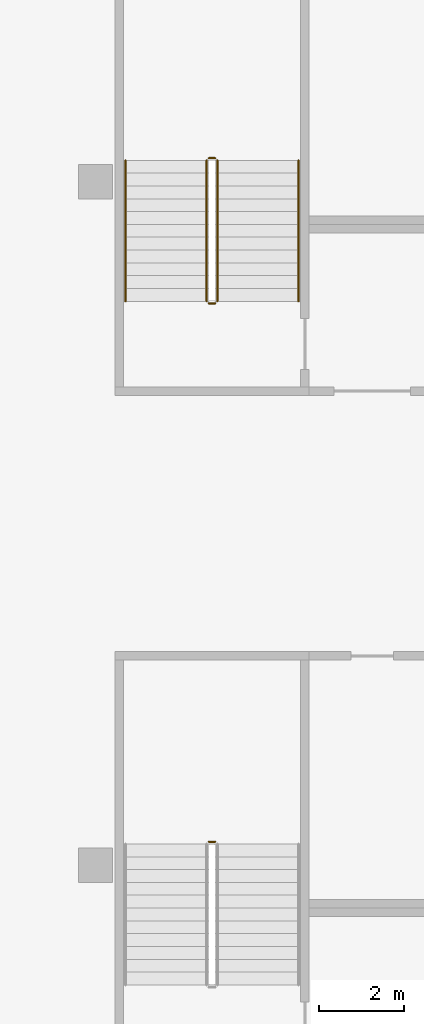
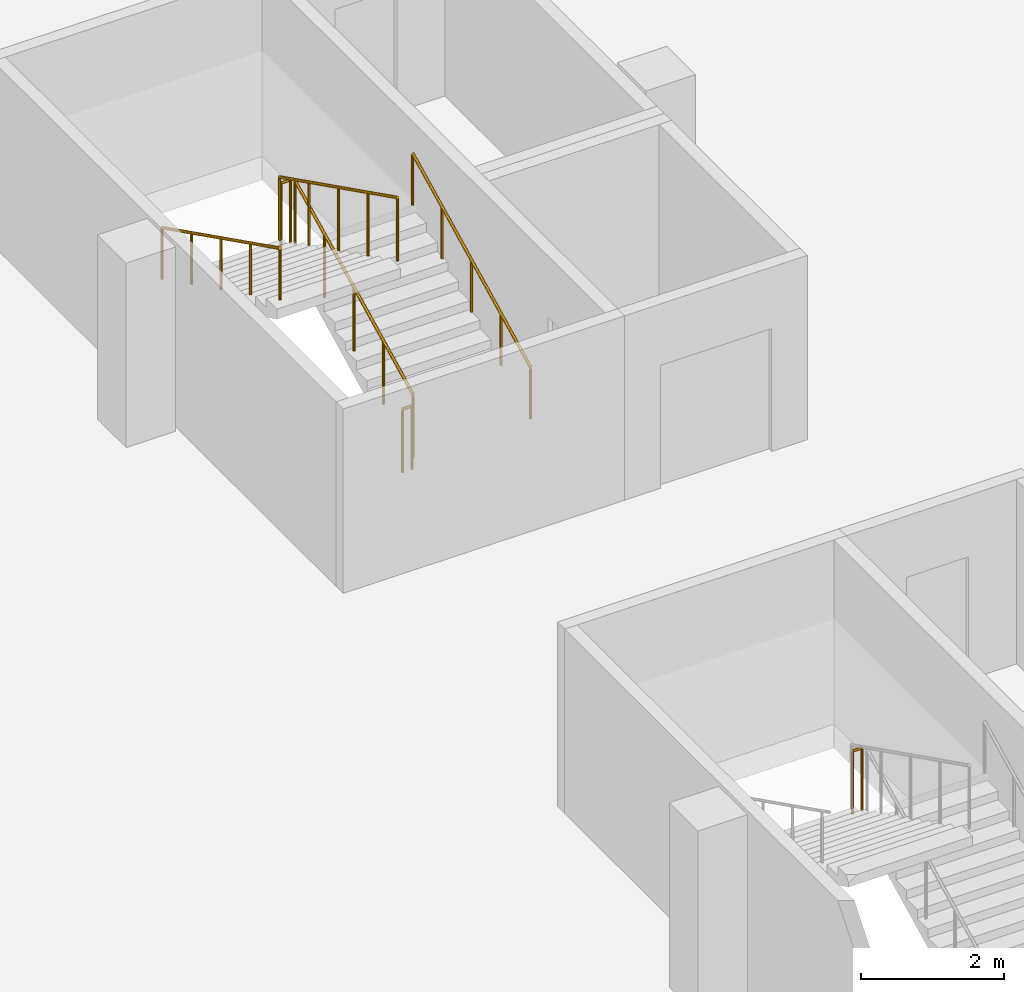
# One storey, part 25 of 37: 7 railings.
"""IFC4 building model written with IfcOpenShell, lengths in metres."""

from ifc_helpers import new_model, si_unit, direction, frame, origin, origin_2d, place, context, subcontext, project, spatial, circle, extrude, material, type_object, element, save


model = new_model("IFC4")

# Units and contexts
model_context = context("Model", 3, precision=1e-05, world=origin(), true_north=direction((0.0, 1.0)))
body_context = subcontext(model_context, "Body", "Model", "MODEL_VIEW")
ifc_project = project(units=[si_unit("LENGTHUNIT", "METRE"), si_unit("AREAUNIT", "SQUARE_METRE"), si_unit("VOLUMEUNIT", "CUBIC_METRE"), si_unit("PLANEANGLEUNIT", "RADIAN"), si_unit("MASSUNIT", "GRAM", prefix="KILO")], contexts=[model_context])

# Site, building, storey
site_placement = place(None, origin())
site = spatial("IfcSite", under=ifc_project, at=site_placement, CompositionType="ELEMENT")
building_placement = place(site_placement, origin())
building = spatial("IfcBuilding", under=site, at=building_placement, Name="Tamra Quay Hotel Tower", CompositionType="ELEMENT")
storey_placement = place(building_placement, frame((0.0, 0.0, -3.60009765625)))
storey = spatial("IfcBuildingStorey", under=building, at=storey_placement, Name="B1", CompositionType="ELEMENT", Elevation=-3.60009765625)

# Railings
ifc_material_1 = material(Name="Basement stair guard 1100")
railing_type_1 = type_object("IfcRailingType", Name="Basement stair guard 1100", PredefinedType="GUARDRAIL", material=ifc_material_1)
railing_1_placement = place(storey_placement, frame((-94.699951171875, -15.449951171875, 1.800048828125)))
element("IfcRailing", 1, at=railing_1_placement, inside=storey, type_object=railing_type_1, Name="BSG", PredefinedType="GUARDRAIL", context=body_context, shape_type="SweptSolid", body=[
    extrude(circle(Radius=0.02392578125, at=origin_2d()), frame((0.0, 0.0, 1.076171875), z_axis=(-1.0, 0.0, 0.0), x_axis=(0.0, -1.0, 0.0)), (0.0, 0.0, 1.0), 0.150146484375),
    extrude(circle(Radius=0.02099609375, at=origin_2d()), origin(), (0.0, 0.0, 1.0), 1.052001953125),
    extrude(circle(Radius=0.02099609375, at=origin_2d()), frame((-0.150146484375, 0.0, 0.0)), (0.0, 0.0, 1.0), 1.052001953125),
])
railing_2_placement = place(storey_placement, frame((-94.64990234375, -2.800048828125, 0.150146484375)))
element("IfcRailing", 2, at=railing_2_placement, inside=storey, type_object=railing_type_1, Name="BSG", PredefinedType="GUARDRAIL", context=body_context, shape_type="SweptSolid", body=[
    extrude(circle(Radius=0.02392578125, at=origin_2d()), frame((0.0, 0.0, 1.076171875), z_axis=(0.0, 0.894440424912, 0.447187126696), x_axis=(-1.0, 0.0, 0.0)), (0.0, 0.0, 1.0), 3.689453125),
    extrude(circle(Radius=0.02099609375, at=origin_2d()), origin(), (0.0, 0.0, 1.0), 1.052001953125),
    extrude(circle(Radius=0.02099609375, at=origin_2d()), frame((0.0, 0.824951171875, 0.41259765625)), (0.0, 0.0, 1.0), 1.052001953125),
    extrude(circle(Radius=0.02099609375, at=origin_2d()), frame((0.0, 1.64990234375, 0.824951171875)), (0.0, 0.0, 1.0), 1.052001953125),
    extrude(circle(Radius=0.02099609375, at=origin_2d()), frame((0.0, 2.47509765625, 1.2373046875)), (0.0, 0.0, 1.0), 1.052001953125),
    extrude(circle(Radius=0.02099609375, at=origin_2d()), frame((0.0, 3.300048828125, 1.64990234375)), (0.0, 0.0, 1.0), 1.052001953125),
])
railing_3_placement = place(storey_placement, frame((-94.699951171875, 0.550048828125, 1.800048828125)))
element("IfcRailing", 3, at=railing_3_placement, inside=storey, type_object=railing_type_1, Name="BSG", PredefinedType="GUARDRAIL", context=body_context, shape_type="SweptSolid", body=[
    extrude(circle(Radius=0.02392578125, at=origin_2d()), frame((0.0, 0.0, 1.076171875), z_axis=(-1.0, 0.0, 0.0), x_axis=(0.0, -1.0, 0.0)), (0.0, 0.0, 1.0), 0.150146484375),
    extrude(circle(Radius=0.02099609375, at=origin_2d()), origin(), (0.0, 0.0, 1.0), 1.052001953125),
    extrude(circle(Radius=0.02099609375, at=origin_2d()), frame((-0.150146484375, 0.0, 0.0)), (0.0, 0.0, 1.0), 1.052001953125),
])
railing_4_placement = place(storey_placement, frame((-94.89990234375, 0.5, 1.9501953125)))
element("IfcRailing", 4, at=railing_4_placement, inside=storey, type_object=railing_type_1, Name="BSG", PredefinedType="GUARDRAIL", context=body_context, shape_type="SweptSolid", body=[
    extrude(circle(Radius=0.02392578125, at=origin_2d()), frame((0.0, 0.0, 1.076171875), z_axis=(0.0, -0.894440424912, 0.447187126696), x_axis=(1.0, 0.0, 0.0)), (0.0, 0.0, 1.0), 3.689453125),
    extrude(circle(Radius=0.02099609375, at=origin_2d()), origin(), (0.0, 0.0, 1.0), 1.052001953125),
    extrude(circle(Radius=0.02099609375, at=origin_2d()), frame((0.0, -0.824951171875, 0.41259765625)), (0.0, 0.0, 1.0), 1.052001953125),
    extrude(circle(Radius=0.02099609375, at=origin_2d()), frame((0.0, -1.64990234375, 0.824951171875)), (0.0, 0.0, 1.0), 1.052001953125),
    extrude(circle(Radius=0.02099609375, at=origin_2d()), frame((0.0, -2.47509765625, 1.2373046875)), (0.0, 0.0, 1.0), 1.052001953125),
    extrude(circle(Radius=0.02099609375, at=origin_2d()), frame((0.0, -3.300048828125, 1.64990234375)), (0.0, 0.0, 1.0), 1.052001953125),
])
railing_5_placement = place(storey_placement, frame((-94.699951171875, -2.85009765625, 0.0)))
element("IfcRailing", 5, at=railing_5_placement, inside=storey, type_object=railing_type_1, Name="BSG", PredefinedType="GUARDRAIL", context=body_context, shape_type="SweptSolid", body=[
    extrude(circle(Radius=0.02392578125, at=origin_2d()), frame((0.0, 0.0, 1.076171875), z_axis=(-1.0, 0.0, 0.0), x_axis=(0.0, -1.0, 0.0)), (0.0, 0.0, 1.0), 0.150146484375),
    extrude(circle(Radius=0.02099609375, at=origin_2d()), origin(), (0.0, 0.0, 1.0), 1.052001953125),
    extrude(circle(Radius=0.02099609375, at=origin_2d()), frame((-0.150146484375, 0.0, 0.0)), (0.0, 0.0, 1.0), 1.052001953125),
])
ifc_material_2 = material(Name="Basement stair handrail 900")
railing_type_2 = type_object("IfcRailingType", Name="Basement stair handrail 900", PredefinedType="HANDRAIL", material=ifc_material_2)
railing_6_placement = place(storey_placement, frame((-92.75, -2.800048828125, 0.150146484375)))
element("IfcRailing", 6, at=railing_6_placement, inside=storey, type_object=railing_type_2, Name="BSH", PredefinedType="HANDRAIL", context=body_context, shape_type="SweptSolid", body=[
    extrude(circle(Radius=0.02392578125, at=origin_2d()), frame((0.0, 0.0, 0.8759765625), z_axis=(0.0, 0.894440424912, 0.447187126696), x_axis=(-1.0, 0.0, 0.0)), (0.0, 0.0, 1.0), 3.689453125),
    extrude(circle(Radius=0.02099609375, at=origin_2d()), origin(), (0.0, 0.0, 1.0), 0.851806640625),
    extrude(circle(Radius=0.02099609375, at=origin_2d()), frame((0.0, 0.824951171875, 0.41259765625)), (0.0, 0.0, 1.0), 0.851806640625),
    extrude(circle(Radius=0.02099609375, at=origin_2d()), frame((0.0, 1.64990234375, 0.824951171875)), (0.0, 0.0, 1.0), 0.851806640625),
    extrude(circle(Radius=0.02099609375, at=origin_2d()), frame((0.0, 2.47509765625, 1.2373046875)), (0.0, 0.0, 1.0), 0.851806640625),
    extrude(circle(Radius=0.02099609375, at=origin_2d()), frame((0.0, 3.300048828125, 1.64990234375)), (0.0, 0.0, 1.0), 0.851806640625),
])
railing_7_placement = place(storey_placement, frame((-96.800048828125, 0.5, 1.9501953125)))
element("IfcRailing", 7, at=railing_7_placement, inside=storey, type_object=railing_type_2, Name="BSH", PredefinedType="HANDRAIL", context=body_context, shape_type="SweptSolid", body=[
    extrude(circle(Radius=0.02392578125, at=origin_2d()), frame((0.0, 0.0, 0.8759765625), z_axis=(0.0, -0.894440424912, 0.447187126696), x_axis=(1.0, 0.0, 0.0)), (0.0, 0.0, 1.0), 3.689453125),
    extrude(circle(Radius=0.02099609375, at=origin_2d()), origin(), (0.0, 0.0, 1.0), 0.851806640625),
    extrude(circle(Radius=0.02099609375, at=origin_2d()), frame((0.0, -0.824951171875, 0.41259765625)), (0.0, 0.0, 1.0), 0.851806640625),
    extrude(circle(Radius=0.02099609375, at=origin_2d()), frame((0.0, -1.64990234375, 0.824951171875)), (0.0, 0.0, 1.0), 0.851806640625),
    extrude(circle(Radius=0.02099609375, at=origin_2d()), frame((0.0, -2.47509765625, 1.2373046875)), (0.0, 0.0, 1.0), 0.851806640625),
    extrude(circle(Radius=0.02099609375, at=origin_2d()), frame((0.0, -3.300048828125, 1.64990234375)), (0.0, 0.0, 1.0), 0.851806640625),
])

save(model, "model.ifc")
